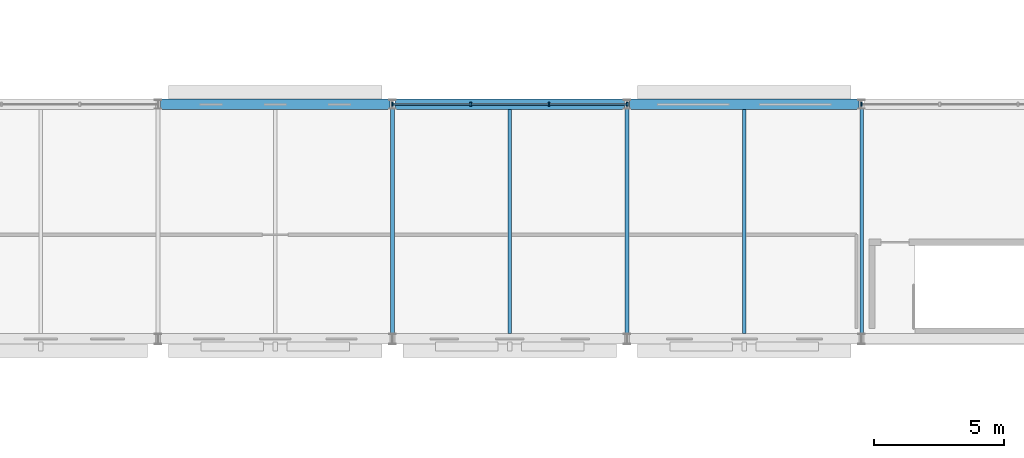
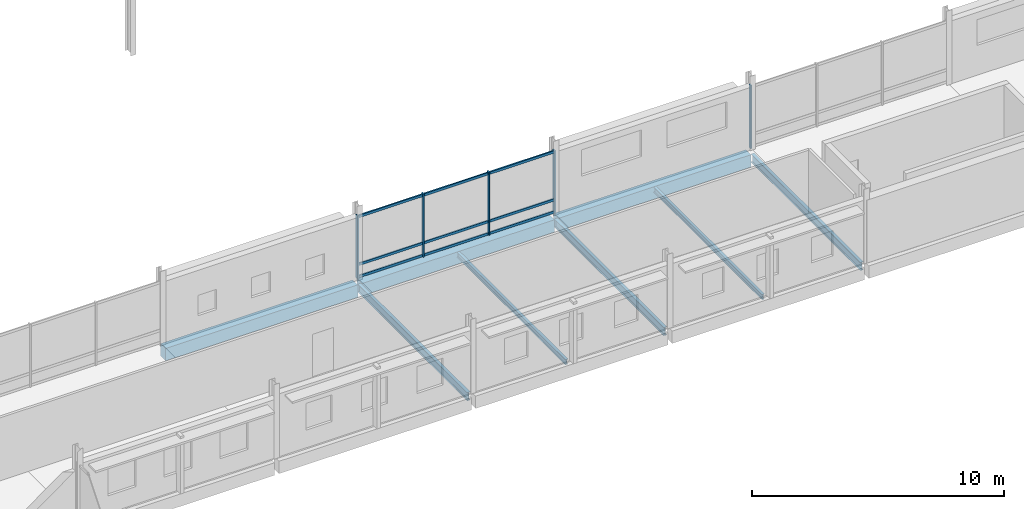
# One storey, part 54 of 132: 14 members, 8 beams, 2 elements without a shape of their own.
"""IFC4 building model written with IfcOpenShell, lengths in metres."""

from ifc_helpers import new_model, si_unit, direction, frame, origin, origin_2d, place, context, subcontext, project, spatial, rectangle, i_section, extrude, material, material_profile, profile_set, type_object, element, aggregate, save


model = new_model("IFC4")

# Units and contexts
model_context = context("Model", 3, precision=1e-05, world=origin(), true_north=direction((0.0, 1.0)))
body_context = subcontext(model_context, "Body", "Model", "MODEL_VIEW")
ifc_project = project(units=[si_unit("LENGTHUNIT", "METRE"), si_unit("AREAUNIT", "SQUARE_METRE"), si_unit("VOLUMEUNIT", "CUBIC_METRE"), si_unit("PLANEANGLEUNIT", "RADIAN"), si_unit("MASSUNIT", "GRAM", prefix="KILO")], contexts=[model_context])

# Site, building, storey
site_placement = place(None, origin())
site = spatial("IfcSite", under=ifc_project, at=site_placement, CompositionType="ELEMENT")
building_placement = place(site_placement, origin())
building = spatial("IfcBuilding", under=site, at=building_placement, Name="Tharagai Park Tramway Depot", CompositionType="ELEMENT")
storey_placement = place(building_placement, frame((0.0, 0.0, 4.800048828125)))
storey = spatial("IfcBuildingStorey", under=building, at=storey_placement, Name="L01", CompositionType="ELEMENT", Elevation=4.800048828125)

# Beams
ifc_material_1 = material(Name="Steel E350", Category="steel")
ifc_material_profile_1 = material_profile(ifc_material_1, i_section(OverallWidth=0.139892578125, OverallDepth=0.39990234375, WebThickness=0.0087890625, FlangeThickness=0.01611328125, FilletRadius=0.013916015625, at=origin_2d()), Name="ISMB 400")
ifc_profile_set_1 = profile_set([ifc_material_profile_1], Name="Steel E350")
beam_type_1 = type_object("IfcBeamType", Name="BM-06", PredefinedType="BEAM", material=ifc_profile_set_1)
for number, where, z_axis, x_axis, name in (
    (1, (108.0, 90.175048828125, -0.380126953125), (0.0, 1.0, 0.0), (-1.0, 0.0, 0.0), "L01 Grid Beam BM-06"),
    (2, (117.0, 90.175048828125, -0.380126953125), (0.0, 1.0, 0.0), (-1.0, 0.0, 0.0), "L01 Grid Beam BM-06"),
    (3, (126.0, 90.175048828125, -0.380126953125), (0.0, 1.0, 0.0), (-1.0, 0.0, 0.0), "L01 Grid Beam BM-06"),
):
    element("IfcBeam", number, at=place(storey_placement, frame(where, z_axis=z_axis, x_axis=x_axis)), inside=storey, type_object=beam_type_1, Name=name, PredefinedType="BEAM", context=body_context, shape_type="SweptSolid", body=[
        extrude(i_section(OverallWidth=0.139892578125, OverallDepth=0.39990234375, WebThickness=0.0087890625, FlangeThickness=0.01611328125, FilletRadius=0.013916015625, at=origin_2d()), origin(), (0.0, 0.0, 1.0), 8.675048828125),
    ])

# Curtain wall, members
ifc_material_2 = material(Name="Anodised aluminium", Category="aluminium")
curtain_wall_type = type_object("IfcCurtainWallType", Name="CW-01", PredefinedType="NOTDEFINED", material=ifc_material_2)
curtain_wall_1_placement = place(storey_placement, origin())
curtain_wall_1 = element("IfcCurtainWall", 4, at=curtain_wall_1_placement, inside=storey, type_object=curtain_wall_type, Name="L01 V1 Gothic Mullioned Curtain Wall CW-01", PredefinedType="NOTDEFINED")
ifc_material_profile_2 = material_profile(ifc_material_2, rectangle(XDim=0.06494140625, YDim=0.1201171875, at=origin_2d()), Name="ALU 65x120")
ifc_profile_set_2 = profile_set([ifc_material_profile_2], Name="Anodised aluminium")
member_type_1 = type_object("IfcMemberType", Name="CM-01", PredefinedType="USERDEFINED", material=ifc_profile_set_2)
member_1_placement = place(storey_placement, frame((108.010986328125, 99.0, 0.06005859375), z_axis=(1.0, 0.0, 0.0), x_axis=(0.0, 1.0, 0.0)))
member_1 = element("IfcMember", 5, at=member_1_placement, type_object=member_type_1, Name="L01 V1 Gothic Mullioned Curtain Wall Transom 1.1", ObjectType="TRANSOM", PredefinedType="USERDEFINED", context=body_context, shape_type="SweptSolid", body=[
    extrude(rectangle(XDim=0.06494140625, YDim=0.1201171875, at=origin_2d()), origin(), (0.0, 0.0, 1.0), 2.97265625),
])
member_2_placement = place(storey_placement, frame((108.010986328125, 99.0, 0.64990234375), z_axis=(1.0, 0.0, 0.0), x_axis=(0.0, 1.0, 0.0)))
member_2 = element("IfcMember", 6, at=member_2_placement, type_object=member_type_1, Name="L01 V1 Gothic Mullioned Curtain Wall Transom 1.2", ObjectType="TRANSOM", PredefinedType="USERDEFINED", context=body_context, shape_type="SweptSolid", body=[
    extrude(rectangle(XDim=0.06494140625, YDim=0.1201171875, at=origin_2d()), origin(), (0.0, 0.0, 1.0), 2.97265625),
])
member_3_placement = place(storey_placement, frame((108.010986328125, 99.0, 2.969970703125), z_axis=(1.0, 0.0, 0.0), x_axis=(0.0, 1.0, 0.0)))
member_3 = element("IfcMember", 7, at=member_3_placement, type_object=member_type_1, Name="L01 V1 Gothic Mullioned Curtain Wall Transom 1.3", ObjectType="TRANSOM", PredefinedType="USERDEFINED", context=body_context, shape_type="SweptSolid", body=[
    extrude(rectangle(XDim=0.06494140625, YDim=0.1201171875, at=origin_2d()), origin(), (0.0, 0.0, 1.0), 2.97265625),
])
member_4_placement = place(storey_placement, frame((111.013671875, 99.0, 0.06005859375), z_axis=(1.0, 0.0, 0.0), x_axis=(0.0, 1.0, 0.0)))
member_4 = element("IfcMember", 8, at=member_4_placement, type_object=member_type_1, Name="L01 V1 Gothic Mullioned Curtain Wall Transom 2.1", ObjectType="TRANSOM", PredefinedType="USERDEFINED", context=body_context, shape_type="SweptSolid", body=[
    extrude(rectangle(XDim=0.06494140625, YDim=0.1201171875, at=origin_2d()), origin(), (0.0, 0.0, 1.0), 2.97265625),
])
member_5_placement = place(storey_placement, frame((111.013671875, 99.0, 0.64990234375), z_axis=(1.0, 0.0, 0.0), x_axis=(0.0, 1.0, 0.0)))
member_5 = element("IfcMember", 9, at=member_5_placement, type_object=member_type_1, Name="L01 V1 Gothic Mullioned Curtain Wall Transom 2.2", ObjectType="TRANSOM", PredefinedType="USERDEFINED", context=body_context, shape_type="SweptSolid", body=[
    extrude(rectangle(XDim=0.06494140625, YDim=0.1201171875, at=origin_2d()), origin(), (0.0, 0.0, 1.0), 2.97265625),
])
member_6_placement = place(storey_placement, frame((111.013671875, 99.0, 2.969970703125), z_axis=(1.0, 0.0, 0.0), x_axis=(0.0, 1.0, 0.0)))
member_6 = element("IfcMember", 10, at=member_6_placement, type_object=member_type_1, Name="L01 V1 Gothic Mullioned Curtain Wall Transom 2.3", ObjectType="TRANSOM", PredefinedType="USERDEFINED", context=body_context, shape_type="SweptSolid", body=[
    extrude(rectangle(XDim=0.06494140625, YDim=0.1201171875, at=origin_2d()), origin(), (0.0, 0.0, 1.0), 2.97265625),
])
member_7_placement = place(storey_placement, frame((114.016357421875, 99.0, 0.06005859375), z_axis=(1.0, 0.0, 0.0), x_axis=(0.0, 1.0, 0.0)))
member_7 = element("IfcMember", 11, at=member_7_placement, type_object=member_type_1, Name="L01 V1 Gothic Mullioned Curtain Wall Transom 3.1", ObjectType="TRANSOM", PredefinedType="USERDEFINED", context=body_context, shape_type="SweptSolid", body=[
    extrude(rectangle(XDim=0.06494140625, YDim=0.1201171875, at=origin_2d()), origin(), (0.0, 0.0, 1.0), 2.97265625),
])
member_8_placement = place(storey_placement, frame((114.016357421875, 99.0, 0.64990234375), z_axis=(1.0, 0.0, 0.0), x_axis=(0.0, 1.0, 0.0)))
member_8 = element("IfcMember", 12, at=member_8_placement, type_object=member_type_1, Name="L01 V1 Gothic Mullioned Curtain Wall Transom 3.2", ObjectType="TRANSOM", PredefinedType="USERDEFINED", context=body_context, shape_type="SweptSolid", body=[
    extrude(rectangle(XDim=0.06494140625, YDim=0.1201171875, at=origin_2d()), origin(), (0.0, 0.0, 1.0), 2.97265625),
])
member_9_placement = place(storey_placement, frame((114.016357421875, 99.0, 2.969970703125), z_axis=(1.0, 0.0, 0.0), x_axis=(0.0, 1.0, 0.0)))
member_9 = element("IfcMember", 13, at=member_9_placement, type_object=member_type_1, Name="L01 V1 Gothic Mullioned Curtain Wall Transom 3.3", ObjectType="TRANSOM", PredefinedType="USERDEFINED", context=body_context, shape_type="SweptSolid", body=[
    extrude(rectangle(XDim=0.06494140625, YDim=0.1201171875, at=origin_2d()), origin(), (0.0, 0.0, 1.0), 2.97265625),
])
ifc_material_profile_3 = material_profile(ifc_material_2, rectangle(XDim=0.06494140625, YDim=0.14990234375, at=origin_2d()), Name="ALU 65x150")
ifc_profile_set_3 = profile_set([ifc_material_profile_3], Name="Anodised aluminium")
member_type_2 = type_object("IfcMemberType", Name="CM-03", PredefinedType="MULLION", material=ifc_profile_set_3)
member_10_placement = place(storey_placement, frame((107.99609375, 99.0, -0.005126953125), z_axis=(0.0, 0.0, 1.0), x_axis=(1.0, 0.0, 0.0)))
member_10 = element("IfcMember", 14, at=member_10_placement, type_object=member_type_2, Name="L01 V1 Gothic Mullioned Curtain Wall Mullion 1", PredefinedType="MULLION", context=body_context, shape_type="SweptSolid", body=[
    extrude(rectangle(XDim=0.06494140625, YDim=0.14990234375, at=origin_2d()), origin(), (0.0, 0.0, 1.0), 3.06005859375),
])
member_11_placement = place(storey_placement, frame((110.998779296875, 99.0, -0.005126953125), z_axis=(0.0, 0.0, 1.0), x_axis=(1.0, 0.0, 0.0)))
member_11 = element("IfcMember", 15, at=member_11_placement, type_object=member_type_2, Name="L01 V1 Gothic Mullioned Curtain Wall Mullion 2", PredefinedType="MULLION", context=body_context, shape_type="SweptSolid", body=[
    extrude(rectangle(XDim=0.06494140625, YDim=0.14990234375, at=origin_2d()), origin(), (0.0, 0.0, 1.0), 3.06005859375),
])
member_12_placement = place(storey_placement, frame((114.001220703125, 99.0, -0.005126953125), z_axis=(0.0, 0.0, 1.0), x_axis=(1.0, 0.0, 0.0)))
member_12 = element("IfcMember", 16, at=member_12_placement, type_object=member_type_2, Name="L01 V1 Gothic Mullioned Curtain Wall Mullion 3", PredefinedType="MULLION", context=body_context, shape_type="SweptSolid", body=[
    extrude(rectangle(XDim=0.06494140625, YDim=0.14990234375, at=origin_2d()), origin(), (0.0, 0.0, 1.0), 3.06005859375),
])
member_13_placement = place(storey_placement, frame((117.00390625, 99.0, -0.005126953125), z_axis=(0.0, 0.0, 1.0), x_axis=(1.0, 0.0, 0.0)))
member_13 = element("IfcMember", 17, at=member_13_placement, type_object=member_type_2, Name="L01 V1 Gothic Mullioned Curtain Wall Mullion 4", PredefinedType="MULLION", context=body_context, shape_type="SweptSolid", body=[
    extrude(rectangle(XDim=0.06494140625, YDim=0.14990234375, at=origin_2d()), origin(), (0.0, 0.0, 1.0), 3.06005859375),
])
aggregate(curtain_wall_1, [member_10, member_11, member_12, member_13, member_1, member_2, member_3, member_4, member_5, member_6, member_7, member_8, member_9])

# Curtain wall, member
curtain_wall_2_placement = place(storey_placement, origin())
curtain_wall_2 = element("IfcCurtainWall", 18, at=curtain_wall_2_placement, inside=storey, type_object=curtain_wall_type, Name="L01 V1 Gothic Mullioned Curtain Wall CW-01", PredefinedType="NOTDEFINED")
member_14_placement = place(storey_placement, frame((125.99609375, 99.0, -0.005126953125), z_axis=(0.0, 0.0, 1.0), x_axis=(1.0, 0.0, 0.0)))
member_14 = element("IfcMember", 19, at=member_14_placement, type_object=member_type_2, Name="L01 V1 Gothic Mullioned Curtain Wall Mullion 1", PredefinedType="MULLION", context=body_context, shape_type="SweptSolid", body=[
    extrude(rectangle(XDim=0.06494140625, YDim=0.14990234375, at=origin_2d()), origin(), (0.0, 0.0, 1.0), 3.06005859375),
])
aggregate(curtain_wall_2, [member_14])

# Beams
ifc_material_3 = material(Name="Steel E250", Category="steel")
ifc_material_profile_4 = material_profile(ifc_material_3, i_section(OverallWidth=0.125, OverallDepth=0.25, WebThickness=0.0068359375, FlangeThickness=0.012451171875, FilletRadius=0.012939453125, at=origin_2d()), Name="ISMB 250")
ifc_profile_set_4 = profile_set([ifc_material_profile_4], Name="Steel E250")
beam_type_2 = type_object("IfcBeamType", Name="JT-02", PredefinedType="JOIST", material=ifc_profile_set_4)
for number, where, z_axis, x_axis, name in (
    (20, (112.5, 90.199951171875, -0.304931640625), (0.0, 1.0, 0.0), (-1.0, 0.0, 0.0), "L01 Secondary Joist JT-02"),
    (21, (121.5, 90.199951171875, -0.304931640625), (0.0, 1.0, 0.0), (-1.0, 0.0, 0.0), "L01 Secondary Joist JT-02"),
):
    element("IfcBeam", number, at=place(storey_placement, frame(where, z_axis=z_axis, x_axis=x_axis)), inside=storey, type_object=beam_type_2, Name=name, PredefinedType="JOIST", context=body_context, shape_type="SweptSolid", body=[
        extrude(i_section(OverallWidth=0.125, OverallDepth=0.25, WebThickness=0.0068359375, FlangeThickness=0.012451171875, FilletRadius=0.012939453125, at=origin_2d()), origin(), (0.0, 0.0, 1.0), 8.60009765625),
    ])
ifc_material_4 = material(Name="Concrete M35", Category="concrete")
ifc_material_profile_5 = material_profile(ifc_material_4, rectangle(XDim=0.39990234375, YDim=0.60009765625, at=origin_2d()), Name="RC 400x600")
ifc_profile_set_5 = profile_set([ifc_material_profile_5], Name="Concrete M35")
beam_type_3 = type_object("IfcBeamType", Name="SP-02", PredefinedType="SPANDREL", material=ifc_profile_set_5)
for number, where, z_axis, x_axis, name in (
    (22, (99.10009765625, 99.0, -0.47998046875), (1.0, 0.0, 0.0), (0.0, 1.0, 0.0), "L01 Grid Beam SP-02"),
    (23, (108.10009765625, 99.0, -0.47998046875), (1.0, 0.0, 0.0), (0.0, 1.0, 0.0), "L01 Grid Beam SP-02"),
    (24, (117.10009765625, 99.0, -0.47998046875), (1.0, 0.0, 0.0), (0.0, 1.0, 0.0), "L01 Grid Beam SP-02"),
):
    element("IfcBeam", number, at=place(storey_placement, frame(where, z_axis=z_axis, x_axis=x_axis)), inside=storey, type_object=beam_type_3, Name=name, PredefinedType="SPANDREL", context=body_context, shape_type="SweptSolid", body=[
        extrude(rectangle(XDim=0.39990234375, YDim=0.60009765625, at=origin_2d()), origin(), (0.0, 0.0, 1.0), 8.7998046875),
    ])

save(model, "model.ifc")
